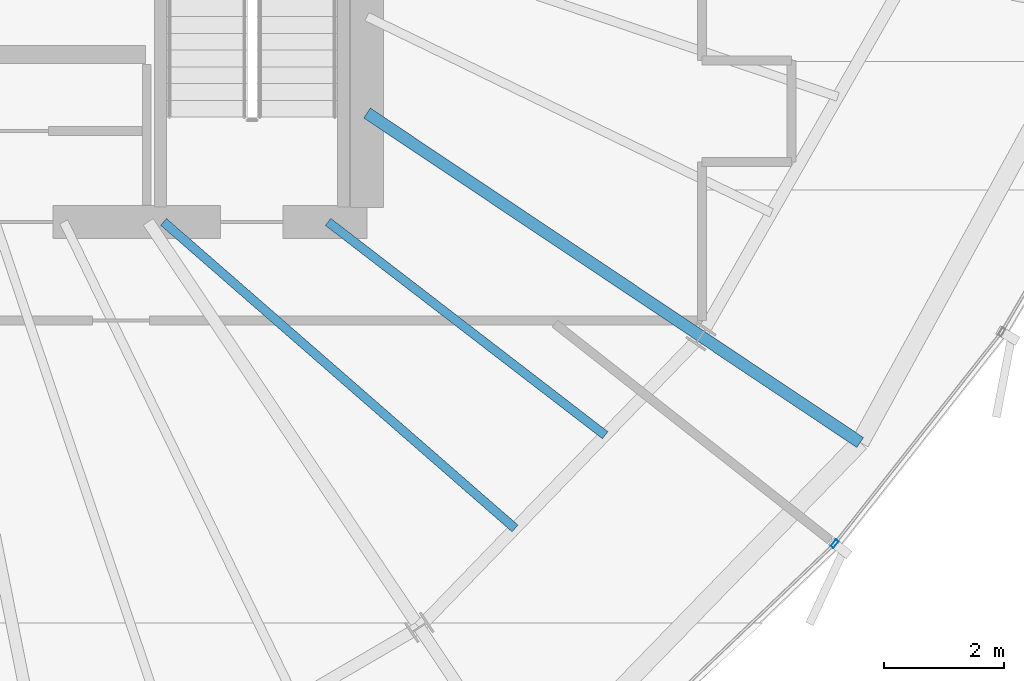
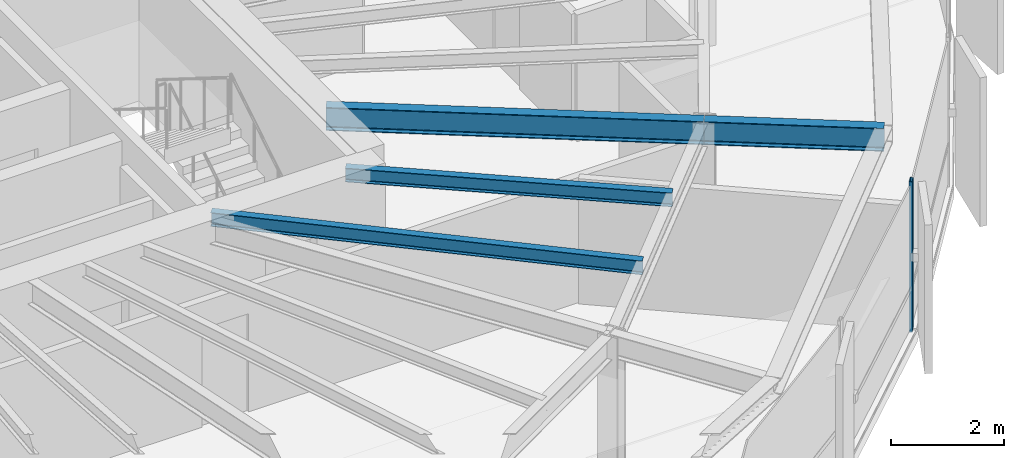
# One storey, part 14 of 35: 4 beams, 1 member, 1 element without a shape of its own.
"""IFC4 building model written with IfcOpenShell, lengths in metres."""

import ifcopenshell
import ifcopenshell.guid

model = None  # the IFC model being written
_history = None  # IfcOwnerHistory: only IFC2X3 demands one
_inside = {}  # id of a spatial element -> (the spatial element, [elements in it])
_under = {}  # id of a project, library or spatial element -> (it, [spatial elements below it])
_declared = {}  # id of a project -> (the project, [libraries it declares])
_typed = {}  # id of a type object -> (the type object, [elements of that type])
_made_of = {}  # id of a material, layer set ... -> (it, [elements and type objects made of it])


def new_model(schema):
    """Start an empty IFC model of exactly this schema.

    Asked for "IFC4X3", IfcOpenShell would pick the latest addendum, in which some entities
    have other attributes; the version numbers below select the first issue.
    IFC2X3 requires an IfcOwnerHistory on every rooted entity: one is made here for all.
    """
    global model, _history
    if schema == "IFC4X3":
        model = ifcopenshell.file(schema_version=(4, 3, 0, 0))
    else:
        model = ifcopenshell.file(schema=schema)
    _inside.clear()
    _under.clear()
    _declared.clear()
    _typed.clear()
    _made_of.clear()
    _history = None
    if model.schema == "IFC2X3":
        org = make("IfcOrganization", Name="unknown")
        user = make(
            "IfcPersonAndOrganization",
            ThePerson=make("IfcPerson", FamilyName="unknown"),
            TheOrganization=org,
        )
        app = make(
            "IfcApplication",
            ApplicationDeveloper=org,
            Version="unknown",
            ApplicationFullName="unknown",
            ApplicationIdentifier="unknown",
        )
        _history = make(
            "IfcOwnerHistory",
            OwningUser=user,
            OwningApplication=app,
            ChangeAction="ADDED",
            CreationDate=0,
        )
    return model


def make(cls, **values):
    """One entity of the class cls with the attributes given. An attribute that is None is left unset."""
    return model.create_entity(
        cls, **{name: value for name, value in values.items() if value is not None}
    )


def rooted(cls, **values):
    """An entity with a GlobalId (a new one), such as an element, a storey or a relation."""
    return make(cls, GlobalId=ifcopenshell.guid.new(), OwnerHistory=_history, **values)


def si_unit(unit_type, name, prefix=None):
    """IfcSIUnit, for example si_unit("LENGTHUNIT", "METRE", prefix="MILLI")."""
    return make("IfcSIUnit", UnitType=unit_type, Prefix=prefix, Name=name)


def assignment(units):
    """IfcUnitAssignment: the units of a project."""
    return None if units is None else make("IfcUnitAssignment", Units=units)


def point(xyz):
    """IfcCartesianPoint."""
    return None if xyz is None else make("IfcCartesianPoint", Coordinates=xyz)


def direction(xyz):
    """IfcDirection."""
    return None if xyz is None else make("IfcDirection", DirectionRatios=xyz)


def frame(location, z_axis=None, x_axis=None):
    """IfcAxis2Placement3D, a coordinate frame: its origin and axes. An axis left out is left unset."""
    return make(
        "IfcAxis2Placement3D",
        Location=point(location),
        Axis=direction(z_axis),
        RefDirection=direction(x_axis),
    )


def frame_2d(location, x_axis=None):
    """IfcAxis2Placement2D, a coordinate frame in the plane: its origin and x axis."""
    return make(
        "IfcAxis2Placement2D", Location=point(location), RefDirection=direction(x_axis)
    )


def origin():
    """The frame at (0, 0, 0) with its axes left unset."""
    return frame((0.0, 0.0, 0.0))


def origin_2d():
    """The frame at (0, 0) in the plane with its x axis left unset."""
    return frame_2d((0.0, 0.0))


def place(relative_to, where):
    """IfcLocalPlacement: puts the frame where relative to a parent placement (None: the world)."""
    return make(
        "IfcLocalPlacement", PlacementRelTo=relative_to, RelativePlacement=where
    )


def context(
    kind, dimensions, precision=None, world=None, true_north=None, identifier=None
):
    """IfcGeometricRepresentationContext, for example the 3D "Model" context."""
    return make(
        "IfcGeometricRepresentationContext",
        ContextIdentifier=identifier,
        ContextType=kind,
        CoordinateSpaceDimension=dimensions,
        Precision=precision,
        WorldCoordinateSystem=world,
        TrueNorth=true_north,
    )


def subcontext(parent, identifier, kind, view, scale=None):
    """IfcGeometricRepresentationSubContext, for example "Body" below "Model"."""
    return make(
        "IfcGeometricRepresentationSubContext",
        ContextIdentifier=identifier,
        ContextType=kind,
        ParentContext=parent,
        TargetScale=scale,
        TargetView=view,
    )


def project(units=None, contexts=None):
    """IfcProject with its units and contexts."""
    return rooted(
        "IfcProject",
        Name="project",
        RepresentationContexts=contexts,
        UnitsInContext=assignment(units),
    )


def spatial(cls, under=None, at=None, **own):
    """A site, building, storey or space (cls), placed at a placement, below another one or the project."""
    s = rooted(cls, ObjectPlacement=at, **own)
    if under is not None:
        _under.setdefault(under.id(), (under, []))[1].append(s)
    return s


def profile(cls, at=None, kind="AREA", **sizes):
    """A parametric profile (cls). Its sizes go by their IFC names, for example OverallWidth=200.0."""
    return make(cls, ProfileType=kind, Position=at, **sizes)


def hollow_rectangle(**sizes):
    """IfcRectangleHollowProfileDef."""
    return profile("IfcRectangleHollowProfileDef", **sizes)


def i_section(**sizes):
    """IfcIShapeProfileDef."""
    return profile("IfcIShapeProfileDef", **sizes)


def extrude(swept, where, along, depth):
    """IfcExtrudedAreaSolid: the profile swept, set in the frame where, extruded along a direction by depth."""
    return make(
        "IfcExtrudedAreaSolid",
        SweptArea=swept,
        Position=where,
        ExtrudedDirection=direction(along),
        Depth=depth,
    )


def shape(context_of_items, identifier, shape_type, items):
    """IfcShapeRepresentation: the items that make up one representation, for example the "Body"."""
    return make(
        "IfcShapeRepresentation",
        ContextOfItems=context_of_items,
        RepresentationIdentifier=identifier,
        RepresentationType=shape_type,
        Items=items,
    )


def source(mapping_origin, context_of_items, identifier, shape_type, items):
    """IfcRepresentationMap: a shape defined once, which mapped items show again and again."""
    return make(
        "IfcRepresentationMap",
        MappingOrigin=mapping_origin,
        MappedRepresentation=shape(context_of_items, identifier, shape_type, items),
    )


def transform(
    local_origin,
    x_axis=None,
    y_axis=None,
    z_axis=None,
    scale=None,
    scale2=None,
    scale3=None,
    uniform=True,
):
    """IfcCartesianTransformationOperator3D, or its non-uniform kind. x_axis, y_axis, z_axis: its Axis1, 2, 3."""
    if uniform:
        return make(
            "IfcCartesianTransformationOperator3D",
            Axis1=direction(x_axis),
            Axis2=direction(y_axis),
            LocalOrigin=point(local_origin),
            Scale=scale,
            Axis3=direction(z_axis),
        )
    return make(
        "IfcCartesianTransformationOperator3DnonUniform",
        Axis1=direction(x_axis),
        Axis2=direction(y_axis),
        LocalOrigin=point(local_origin),
        Scale=scale,
        Axis3=direction(z_axis),
        Scale2=scale2,
        Scale3=scale3,
    )


def mapped(mapping_source, mapping_target):
    """IfcMappedItem: shows the shape of a source again, moved by a transform."""
    return make(
        "IfcMappedItem", MappingSource=mapping_source, MappingTarget=mapping_target
    )


def material(Name=None, Category=None):
    """IfcMaterial."""
    return make("IfcMaterial", Name=Name, Category=Category)


def layer(
    of_material, thickness, ventilated=None, Name=None, Category=None, Priority=None
):
    """IfcMaterialLayer: one layer of a wall or slab, of a material (None: an air gap)."""
    return make(
        "IfcMaterialLayer",
        Material=of_material,
        LayerThickness=thickness,
        IsVentilated=ventilated,
        Name=Name,
        Category=Category,
        Priority=Priority,
    )


def layer_set(layers, Name=None):
    """IfcMaterialLayerSet."""
    return make("IfcMaterialLayerSet", MaterialLayers=layers, LayerSetName=Name)


def material_profile(
    of_material, cross_section, Name=None, Category=None, Priority=None
):
    """IfcMaterialProfile: a cross section and its material."""
    return make(
        "IfcMaterialProfile",
        Name=Name,
        Material=of_material,
        Profile=cross_section,
        Priority=Priority,
        Category=Category,
    )


def profile_set(profiles, Name=None, composite=None):
    """IfcMaterialProfileSet."""
    return make(
        "IfcMaterialProfileSet",
        Name=Name,
        MaterialProfiles=profiles,
        CompositeProfile=composite,
    )


def made_of(thing, what):
    """Note that an element or type object is made of a material, layer set ...; save() writes the relation."""
    if what is not None:
        _made_of.setdefault(what.id(), (what, []))[1].append(thing)
    return thing


def type_object(cls, material=None, **own):
    """A type object (cls), such as IfcWallType, which elements share."""
    return made_of(rooted(cls, **own), material)


def element(
    cls,
    number,
    at=None,
    inside=None,
    cuts=None,
    type_object=None,
    material=None,
    context=None,
    identifier="Body",
    shape_type=None,
    held_by="IfcProductDefinitionShape",
    body=None,
    shapes=None,
    **own,
):
    """One element of the class cls, such as IfcWall. Its Tag is "e" and its number.

    at: its placement. inside: the storey or other place that contains it. cuts: it is an
    opening in that element (IfcRelVoidsElement). A single representation is given by context,
    identifier, shape_type and body (its items); several are given by shapes. held_by: the class
    of the entity that holds the representations. save() writes the other relations.
    """
    e = rooted(cls, Tag="e%d" % number, ObjectPlacement=at, **own)
    if body is not None:
        shapes = [shape(context, identifier, shape_type, body)]
    if shapes is not None:
        e.Representation = make(held_by, Representations=shapes)
    if inside is not None:
        _inside.setdefault(inside.id(), (inside, []))[1].append(e)
    if cuts is not None:
        rooted(
            "IfcRelVoidsElement", RelatingBuildingElement=cuts, RelatedOpeningElement=e
        )
    if type_object is not None:
        _typed.setdefault(type_object.id(), (type_object, []))[1].append(e)
    return made_of(e, material)


def aggregate(whole, parts):
    """IfcRelAggregates: a whole, such as a stair, and the parts it consists of."""
    return rooted("IfcRelAggregates", RelatingObject=whole, RelatedObjects=parts)


def save(model, path):
    """Write the relations noted so far, then the file.

    IfcRelAggregates (storeys below a building ...), IfcRelContainedInSpatialStructure (elements
    in a storey), IfcRelDefinesByType, IfcRelAssociatesMaterial and IfcRelDeclares: one each for
    every whole, place, type object, material and project.
    """
    for whole, parts in _under.values():
        aggregate(whole, parts)
    for where, things in _inside.values():
        rooted(
            "IfcRelContainedInSpatialStructure",
            RelatedElements=things,
            RelatingStructure=where,
        )
    for kind, things in _typed.values():
        rooted("IfcRelDefinesByType", RelatedObjects=things, RelatingType=kind)
    for what, things in _made_of.values():
        rooted("IfcRelAssociatesMaterial", RelatedObjects=things, RelatingMaterial=what)
    for by, libraries in _declared.values():
        rooted("IfcRelDeclares", RelatingContext=by, RelatedDefinitions=libraries)
    model.write(path)


model = new_model("IFC4")

# Units and contexts
model_context = context("Model", 3, precision=1e-05, world=origin(), true_north=direction((0.0, 1.0)))
body_context = subcontext(model_context, "Body", "Model", "MODEL_VIEW")
ifc_project = project(units=[si_unit("LENGTHUNIT", "METRE"), si_unit("AREAUNIT", "SQUARE_METRE"), si_unit("VOLUMEUNIT", "CUBIC_METRE"), si_unit("PLANEANGLEUNIT", "RADIAN"), si_unit("MASSUNIT", "GRAM", prefix="KILO"), si_unit("THERMODYNAMICTEMPERATUREUNIT", "KELVIN")], contexts=[model_context])

# Site, building, storey
site_placement = place(None, origin())
site = spatial("IfcSite", under=ifc_project, at=site_placement, CompositionType="ELEMENT")
building_placement = place(site_placement, origin())
building = spatial("IfcBuilding", under=site, at=building_placement, Name="Kethvar Cultural Tower", CompositionType="ELEMENT")
storey_placement = place(building_placement, frame((0.0, 0.0, 193.89990234375)))
storey = spatial("IfcBuildingStorey", under=building, at=storey_placement, Name="L50", CompositionType="ELEMENT", Elevation=193.89990234375)

# Beams
ifc_material_1 = material(Name="Steel S355J2", Category="steel")
ifc_material_profile_1 = material_profile(ifc_material_1, i_section(OverallWidth=0.199951171875, OverallDepth=0.5, WebThickness=0.01025390625, FlangeThickness=0.01611328125, FilletRadius=0.02099609375, at=origin_2d()), Name="Steel S355J2 — IPE500")
ifc_profile_set_1 = profile_set([ifc_material_profile_1], Name="Steel S355J2 — IPE500")
beam_type_1 = type_object("IfcBeamType", Name="BM-IPE500", PredefinedType="BEAM", material=ifc_profile_set_1)
shared_shape_1 = source(origin(), body_context, "Body", "SweptSolid", [
    extrude(i_section(OverallWidth=0.199951171875, OverallDepth=0.5, WebThickness=0.01025390625, FlangeThickness=0.01611328125, FilletRadius=0.02099609375, at=origin_2d()), origin(), (0.0, 0.0, 1.0), 3.199951171875),
])
beam_1_placement = place(storey_placement, frame((61.1826171875, 18.18994140625, 3.008056640625), z_axis=(0.831462943996, -0.555580212716, 0.0), x_axis=(0.555580212716, 0.831462943996, 0.0)))
element("IfcBeam", 1, at=beam_1_placement, inside=storey, type_object=beam_type_1, Name="L50 Perimeter Cantilever Beam RC-15", PredefinedType="BEAM", context=body_context, shape_type="MappedRepresentation", body=[
    mapped(shared_shape_1, transform((0.0, 0.0, 0.0), scale=1.0)),
])
shared_shape_2 = source(origin(), body_context, "Body", "SweptSolid", [
    extrude(i_section(OverallWidth=0.199951171875, OverallDepth=0.5, WebThickness=0.01025390625, FlangeThickness=0.01611328125, FilletRadius=0.02099609375, at=origin_2d()), origin(), (0.0, 0.0, 1.0), 6.7138671875),
])
beam_2_placement = place(storey_placement, frame((55.60009765625, 21.919921875, 3.008056640625), z_axis=(0.831479232731, -0.555555834762, 0.0), x_axis=(0.555555834762, 0.831479232731, 0.0)))
element("IfcBeam", 2, at=beam_2_placement, inside=storey, type_object=beam_type_1, Name="L50 Primary Radial Beam RB-15", PredefinedType="BEAM", context=body_context, shape_type="MappedRepresentation", body=[
    mapped(shared_shape_2, transform((0.0, 0.0, 0.0), scale=1.0)),
])
ifc_material_profile_2 = material_profile(ifc_material_1, i_section(OverallWidth=0.14990234375, OverallDepth=0.300048828125, WebThickness=0.007080078125, FlangeThickness=0.0107421875, FilletRadius=0.014892578125, at=origin_2d()), Name="Steel S355J2 — IPE300")
ifc_profile_set_2 = profile_set([ifc_material_profile_2], Name="Steel S355J2 — IPE300")
beam_type_2 = type_object("IfcBeamType", Name="BM-J300", PredefinedType="JOIST", material=ifc_profile_set_2)
shared_shape_3 = source(origin(), body_context, "Body", "SweptSolid", [
    extrude(i_section(OverallWidth=0.14990234375, OverallDepth=0.300048828125, WebThickness=0.007080078125, FlangeThickness=0.0107421875, FilletRadius=0.014892578125, at=origin_2d()), origin(), (0.0, 0.0, 1.0), 7.7958984375),
])
beam_3_placement = place(storey_placement, frame((52.199951171875, 20.10009765625, 3.108154296875), z_axis=(0.753673681644, -0.657248797335, 0.0), x_axis=(0.657248797335, 0.753673681644, 0.0)))
element("IfcBeam", 3, at=beam_3_placement, inside=storey, type_object=beam_type_2, Name="L50 Composite Floor Joist J-14A", PredefinedType="JOIST", context=body_context, shape_type="MappedRepresentation", body=[
    mapped(shared_shape_3, transform((0.0, 0.0, 0.0), scale=1.0)),
])
shared_shape_4 = source(origin(), body_context, "Body", "SweptSolid", [
    extrude(i_section(OverallWidth=0.14990234375, OverallDepth=0.300048828125, WebThickness=0.007080078125, FlangeThickness=0.0107421875, FilletRadius=0.014892578125, at=origin_2d()), origin(), (0.0, 0.0, 1.0), 5.84521484375),
])
beam_4_placement = place(storey_placement, frame((54.949951171875, 20.10009765625, 3.108154296875), z_axis=(0.792398798307, -0.610003397073, 0.0), x_axis=(0.610003397073, 0.792398798307, 0.0)))
element("IfcBeam", 4, at=beam_4_placement, inside=storey, type_object=beam_type_2, Name="L50 Composite Floor Joist J-14B", PredefinedType="JOIST", context=body_context, shape_type="MappedRepresentation", body=[
    mapped(shared_shape_4, transform((0.0, 0.0, 0.0), scale=1.0)),
])

# Curtain wall, member
ifc_material_2 = material(Name="Aluminium 6063-T6", Category="aluminium")
ifc_layer = layer(ifc_material_2, 0.179931640625, Name="Aluminium 6063-T6", Category="aluminium")
ifc_layer_set = layer_set([ifc_layer], Name="Aluminium 6063-T6 (180 mm)")
curtain_wall_type = type_object("IfcCurtainWallType", Name="CW-SYS-04-Z34", PredefinedType="NOTDEFINED", material=ifc_layer_set)
curtain_wall_placement = place(storey_placement, origin())
curtain_wall = element("IfcCurtainWall", 5, at=curtain_wall_placement, inside=storey, type_object=curtain_wall_type, Name="L50 Curtain Wall Run 05", PredefinedType="NOTDEFINED")
ifc_material_profile_3 = material_profile(ifc_material_2, hollow_rectangle(XDim=0.06005859375, YDim=0.139892578125, WallThickness=0.0048828125, at=origin_2d()), Name="Aluminium 6063-T6 — RHS140x60x5")
ifc_profile_set_3 = profile_set([ifc_material_profile_3], Name="Aluminium 6063-T6 — RHS140x60x5")
member_type = type_object("IfcMemberType", Name="CW-SYS-04-Z34-MUL", PredefinedType="MULLION", material=ifc_profile_set_3)
shared_shape_5 = source(origin(), body_context, "Body", "SweptSolid", [
    extrude(hollow_rectangle(XDim=0.06005859375, YDim=0.139892578125, WallThickness=0.0048828125, at=origin_2d()), origin(), (0.0, 0.0, 1.0), 3.260009765625),
])
member_placement = place(storey_placement, frame((63.417236328125, 14.7197265625, 0.0), z_axis=(0.0, 0.0, 1.0), x_axis=(-0.785262901752, 0.619162478783, 0.0)))
member = element("IfcMember", 6, at=member_placement, type_object=member_type, Name="CW-L50-R05 Mullion 5", PredefinedType="MULLION", context=body_context, shape_type="MappedRepresentation", body=[
    mapped(shared_shape_5, transform((0.0, 0.0, 0.0), scale=1.0)),
])
aggregate(curtain_wall, [member])

save(model, "model.ifc")
